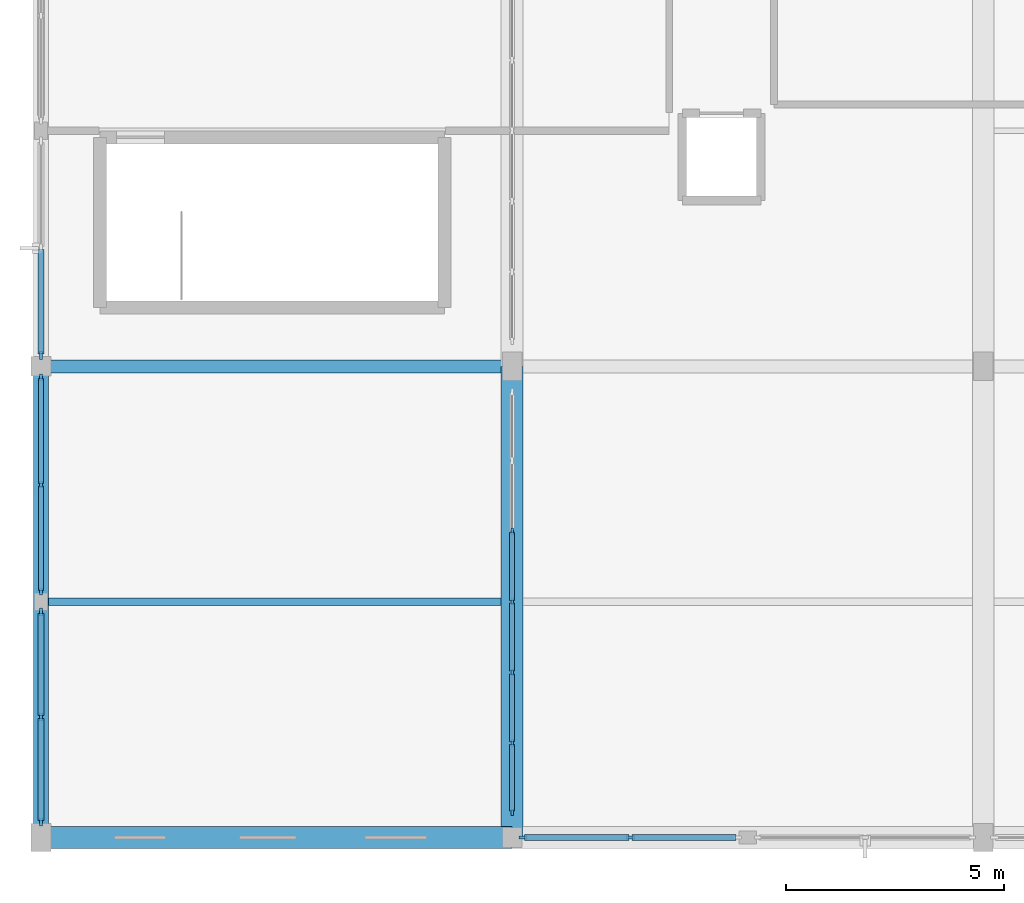
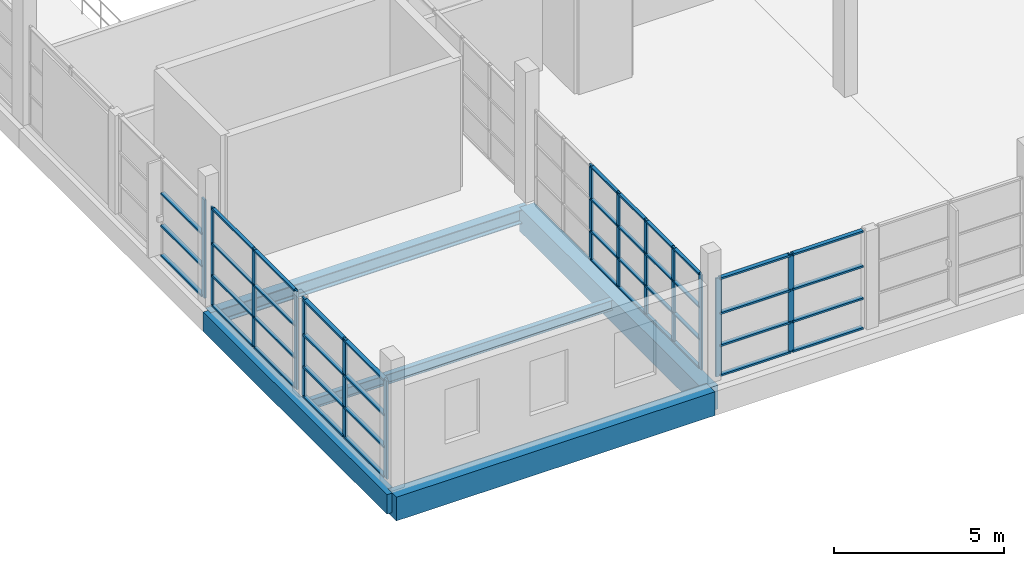
# One storey, part 6 of 142: 57 members, 5 beams, 5 elements without a shape of their own.
"""IFC4 building model written with IfcOpenShell, lengths in metres."""

from ifc_helpers import new_model, si_unit, direction, frame, origin, origin_2d, place, context, subcontext, project, spatial, rectangle, i_section, extrude, material, material_profile, profile_set, type_object, element, aggregate, save


model = new_model("IFC4")

# Units and contexts
model_context = context("Model", 3, precision=1e-05, world=origin(), true_north=direction((0.0, 1.0)))
body_context = subcontext(model_context, "Body", "Model", "MODEL_VIEW")
ifc_project = project(units=[si_unit("LENGTHUNIT", "METRE"), si_unit("AREAUNIT", "SQUARE_METRE"), si_unit("VOLUMEUNIT", "CUBIC_METRE"), si_unit("PLANEANGLEUNIT", "RADIAN"), si_unit("MASSUNIT", "GRAM", prefix="KILO")], contexts=[model_context])

# Site, building, storey
site_placement = place(None, origin())
site = spatial("IfcSite", under=ifc_project, at=site_placement, CompositionType="ELEMENT")
building_placement = place(site_placement, origin())
building = spatial("IfcBuilding", under=site, at=building_placement, Name="Zwinboog Wholesale Market", CompositionType="ELEMENT")
storey_placement = place(building_placement, frame((0.0, 0.0, 5.39990234375)))
storey = spatial("IfcBuildingStorey", under=building, at=storey_placement, Name="L01", CompositionType="ELEMENT", Elevation=5.39990234375)

# Beams
ifc_material_1 = material(Name="Precast concrete C45/55", Category="concrete")
ifc_material_profile_1 = material_profile(ifc_material_1, rectangle(XDim=0.5, YDim=0.85009765625, at=origin_2d()), Name="PC 500x850")
ifc_profile_set_1 = profile_set([ifc_material_profile_1], Name="Precast concrete C45/55")
beam_type_1 = type_object("IfcBeamType", Name="BT-03", PredefinedType="BEAM", material=ifc_profile_set_1)
for number, where, z_axis, x_axis, name in (
    (1, (0.0, 0.0, -0.7568359375), (1.0, 0.0, 0.0), (0.0, 1.0, 0.0), "BG-03 (BMG-L01-0000-0000-0413)"),
    (2, (10.800048828125, 0.0, -0.7568359375), (0.0, 1.0, 0.0), (-1.0, 0.0, 0.0), "BG-03 (BMG-L01-0108-0000-0613)"),
):
    element("IfcBeam", number, at=place(storey_placement, frame(where, z_axis=z_axis, x_axis=x_axis)), inside=storey, type_object=beam_type_1, Name=name, PredefinedType="BEAM", context=body_context, shape_type="SweptSolid", body=[
        extrude(rectangle(XDim=0.5, YDim=0.85009765625, at=origin_2d()), origin(), (0.0, 0.0, 1.0), 10.800048828125),
    ])
ifc_material_profile_2 = material_profile(ifc_material_1, rectangle(XDim=0.35009765625, YDim=0.699951171875, at=origin_2d()), Name="PC 350x700")
ifc_profile_set_2 = profile_set([ifc_material_profile_2], Name="Precast concrete C45/55")
beam_type_2 = type_object("IfcBeamType", Name="BT-08", PredefinedType="SPANDREL", material=ifc_profile_set_2)
beam_1_placement = place(storey_placement, frame((0.0, 0.0, -0.681884765625), z_axis=(0.0, 1.0, 0.0), x_axis=(-1.0, 0.0, 0.0)))
element("IfcBeam", 3, at=beam_1_placement, inside=storey, type_object=beam_type_2, Name="SP-01 (BMG-L01-0000-0000-0601)", PredefinedType="SPANDREL", context=body_context, shape_type="SweptSolid", body=[
    extrude(rectangle(XDim=0.35009765625, YDim=0.699951171875, at=origin_2d()), origin(), (0.0, 0.0, 1.0), 10.800048828125),
])
ifc_material_2 = material(Name="Steel S355", Category="steel")
ifc_material_profile_3 = material_profile(ifc_material_2, i_section(OverallWidth=0.300048828125, OverallDepth=0.5, WebThickness=0.014404296875, FlangeThickness=0.028076171875, FilletRadius=0.027099609375, at=origin_2d()), Name="HEB 500")
ifc_profile_set_3 = profile_set([ifc_material_profile_3], Name="Steel S355")
beam_type_3 = type_object("IfcBeamType", Name="BT-14", PredefinedType="BEAM", material=ifc_profile_set_3)
beam_2_placement = place(storey_placement, frame((0.0, 10.800048828125, -0.581787109375), z_axis=(1.0, 0.0, 0.0), x_axis=(0.0, 1.0, 0.0)))
element("IfcBeam", 4, at=beam_2_placement, inside=storey, type_object=beam_type_3, Name="SB-01 (BMG-L01-0000-0108-0425)", PredefinedType="BEAM", context=body_context, shape_type="SweptSolid", body=[
    extrude(i_section(OverallWidth=0.300048828125, OverallDepth=0.5, WebThickness=0.014404296875, FlangeThickness=0.028076171875, FilletRadius=0.027099609375, at=origin_2d()), origin(), (0.0, 0.0, 1.0), 10.800048828125),
])
ifc_material_profile_4 = material_profile(ifc_material_2, i_section(OverallWidth=0.169921875, OverallDepth=0.360107421875, WebThickness=0.008056640625, FlangeThickness=0.0126953125, FilletRadius=0.01806640625, at=origin_2d()), Name="IPE 360")
ifc_profile_set_4 = profile_set([ifc_material_profile_4], Name="Steel S355")
beam_type_4 = type_object("IfcBeamType", Name="BT-20", PredefinedType="JOIST", material=ifc_profile_set_4)
beam_3_placement = place(storey_placement, frame((0.175048828125, 5.39990234375, -0.511962890625), z_axis=(1.0, 0.0, 0.0), x_axis=(0.0, 1.0, 0.0)))
element("IfcBeam", 5, at=beam_3_placement, inside=storey, type_object=beam_type_4, Name="SJ-03 (BMG-L01-0002-0054-0777)", PredefinedType="JOIST", context=body_context, shape_type="SweptSolid", body=[
    extrude(i_section(OverallWidth=0.169921875, OverallDepth=0.360107421875, WebThickness=0.008056640625, FlangeThickness=0.0126953125, FilletRadius=0.01806640625, at=origin_2d()), origin(), (0.0, 0.0, 1.0), 10.375),
])

# Curtain wall, members
ifc_material_3 = material(Name="Aluminium thermally broken curtain wall", Category="aluminium")
curtain_wall_type_1 = type_object("IfcCurtainWallType", Name="CWT-STALL-18", PredefinedType="USERDEFINED", material=ifc_material_3)
curtain_wall_1_placement = place(storey_placement, origin())
curtain_wall_1 = element("IfcCurtainWall", 6, at=curtain_wall_1_placement, inside=storey, type_object=curtain_wall_type_1, Name="CW-01 (CW-L01-049)", ObjectType="STOREFRONT_GLAZING", PredefinedType="USERDEFINED")
ifc_material_4 = material(Name="Aluminium EN AW-6060", Category="aluminium")
ifc_material_profile_5 = material_profile(ifc_material_4, rectangle(XDim=0.06494140625, YDim=0.179931640625, at=origin_2d()), Name="AL 65x180")
ifc_profile_set_5 = profile_set([ifc_material_profile_5], Name="Aluminium EN AW-6060")
member_type_1 = type_object("IfcMemberType", Name="CWM-65x180", PredefinedType="MULLION", material=ifc_profile_set_5)
member_1_placement = place(storey_placement, frame((0.0, 0.3525390625, 0.0), z_axis=(0.0, 0.0, 1.0), x_axis=(-1.0, 0.0, 0.0)))
member_1 = element("IfcMember", 7, at=member_1_placement, type_object=member_type_1, Name="CW-01 mullion 1", PredefinedType="MULLION", context=body_context, shape_type="SweptSolid", body=[
    extrude(rectangle(XDim=0.06494140625, YDim=0.179931640625, at=origin_2d()), origin(), (0.0, 0.0, 1.0), 3.530029296875),
])
member_2_placement = place(storey_placement, frame((0.0, 2.760009765625, 0.0), z_axis=(0.0, 0.0, 1.0), x_axis=(-1.0, 0.0, 0.0)))
member_2 = element("IfcMember", 8, at=member_2_placement, type_object=member_type_1, Name="CW-01 mullion 2", PredefinedType="MULLION", context=body_context, shape_type="SweptSolid", body=[
    extrude(rectangle(XDim=0.06494140625, YDim=0.179931640625, at=origin_2d()), origin(), (0.0, 0.0, 1.0), 3.530029296875),
])
member_3_placement = place(storey_placement, frame((0.0, 5.16748046875, 0.0), z_axis=(0.0, 0.0, 1.0), x_axis=(-1.0, 0.0, 0.0)))
member_3 = element("IfcMember", 9, at=member_3_placement, type_object=member_type_1, Name="CW-01 mullion 3", PredefinedType="MULLION", context=body_context, shape_type="SweptSolid", body=[
    extrude(rectangle(XDim=0.06494140625, YDim=0.179931640625, at=origin_2d()), origin(), (0.0, 0.0, 1.0), 3.530029296875),
])

# Curtain wall, member
curtain_wall_type_2 = type_object("IfcCurtainWallType", Name="CWT-HALL-24", PredefinedType="USERDEFINED", material=ifc_material_3)
curtain_wall_2_placement = place(storey_placement, origin())
curtain_wall_2 = element("IfcCurtainWall", 10, at=curtain_wall_2_placement, inside=storey, type_object=curtain_wall_type_2, Name="CW-03 (CW-L01-051)", ObjectType="UNITIZED_CURTAIN_WALL", PredefinedType="USERDEFINED")
member_4_placement = place(storey_placement, frame((0.0, 11.052490234375, 0.0), z_axis=(0.0, 0.0, 1.0), x_axis=(-1.0, 0.0, 0.0)))
member_4 = element("IfcMember", 11, at=member_4_placement, type_object=member_type_1, Name="CW-03 mullion 1", PredefinedType="MULLION", context=body_context, shape_type="SweptSolid", body=[
    extrude(rectangle(XDim=0.06494140625, YDim=0.179931640625, at=origin_2d()), origin(), (0.0, 0.0, 1.0), 3.530029296875),
])

# Curtain wall, members
curtain_wall_type_3 = type_object("IfcCurtainWallType", Name="CWT-CAFE-22", PredefinedType="USERDEFINED", material=ifc_material_3)
curtain_wall_3_placement = place(storey_placement, origin())
curtain_wall_3 = element("IfcCurtainWall", 12, at=curtain_wall_3_placement, inside=storey, type_object=curtain_wall_type_3, Name="CW-05 (CW-L01-065)", ObjectType="STOREFRONT_GLAZING", PredefinedType="USERDEFINED")
member_5_placement = place(storey_placement, frame((11.052490234375, 0.0, 0.0), z_axis=(0.0, 0.0, 1.0), x_axis=(0.0, 1.0, 0.0)))
member_5 = element("IfcMember", 13, at=member_5_placement, type_object=member_type_1, Name="CW-05 mullion 1", PredefinedType="MULLION", context=body_context, shape_type="SweptSolid", body=[
    extrude(rectangle(XDim=0.06494140625, YDim=0.179931640625, at=origin_2d()), origin(), (0.0, 0.0, 1.0), 3.530029296875),
])
member_6_placement = place(storey_placement, frame((13.510009765625, 0.0, 0.0), z_axis=(0.0, 0.0, 1.0), x_axis=(0.0, 1.0, 0.0)))
member_6 = element("IfcMember", 14, at=member_6_placement, type_object=member_type_1, Name="CW-05 mullion 2", PredefinedType="MULLION", context=body_context, shape_type="SweptSolid", body=[
    extrude(rectangle(XDim=0.06494140625, YDim=0.179931640625, at=origin_2d()), origin(), (0.0, 0.0, 1.0), 3.530029296875),
])

curtain_wall_type_4 = type_object("IfcCurtainWallType", Name="CWT-STALL-20", PredefinedType="USERDEFINED", material=ifc_material_3)
curtain_wall_4_placement = place(storey_placement, origin())
curtain_wall_4 = element("IfcCurtainWall", 15, at=curtain_wall_4_placement, inside=storey, type_object=curtain_wall_type_4, Name="CW-02 (CW-L01-050)", ObjectType="STOREFRONT_GLAZING", PredefinedType="USERDEFINED")
ifc_material_profile_6 = material_profile(ifc_material_4, rectangle(XDim=0.06005859375, YDim=0.14990234375, at=origin_2d()), Name="AL 60x150")
ifc_profile_set_6 = profile_set([ifc_material_profile_6], Name="Aluminium EN AW-6060")
member_type_2 = type_object("IfcMemberType", Name="CWM-60x150", PredefinedType="MULLION", material=ifc_profile_set_6)
member_7_placement = place(storey_placement, frame((0.0, 5.6298828125, 0.0), z_axis=(0.0, 0.0, 1.0), x_axis=(-1.0, 0.0, 0.0)))
member_7 = element("IfcMember", 16, at=member_7_placement, type_object=member_type_2, Name="CW-02 mullion 1", PredefinedType="MULLION", context=body_context, shape_type="SweptSolid", body=[
    extrude(rectangle(XDim=0.06005859375, YDim=0.14990234375, at=origin_2d()), origin(), (0.0, 0.0, 1.0), 3.530029296875),
])
member_8_placement = place(storey_placement, frame((0.0, 8.090087890625, 0.0), z_axis=(0.0, 0.0, 1.0), x_axis=(-1.0, 0.0, 0.0)))
member_8 = element("IfcMember", 17, at=member_8_placement, type_object=member_type_2, Name="CW-02 mullion 2", PredefinedType="MULLION", context=body_context, shape_type="SweptSolid", body=[
    extrude(rectangle(XDim=0.06005859375, YDim=0.14990234375, at=origin_2d()), origin(), (0.0, 0.0, 1.0), 3.530029296875),
])
member_9_placement = place(storey_placement, frame((0.0, 10.550048828125, 0.0), z_axis=(0.0, 0.0, 1.0), x_axis=(-1.0, 0.0, 0.0)))
member_9 = element("IfcMember", 18, at=member_9_placement, type_object=member_type_2, Name="CW-02 mullion 3", PredefinedType="MULLION", context=body_context, shape_type="SweptSolid", body=[
    extrude(rectangle(XDim=0.06005859375, YDim=0.14990234375, at=origin_2d()), origin(), (0.0, 0.0, 1.0), 3.530029296875),
])

# Member
ifc_material_profile_7 = material_profile(ifc_material_4, rectangle(XDim=0.139892578125, YDim=0.06494140625, at=origin_2d()), Name="AL 65x140")
ifc_profile_set_7 = profile_set([ifc_material_profile_7], Name="Aluminium EN AW-6060")
member_type_3 = type_object("IfcMemberType", Name="CWT-65x140", PredefinedType="USERDEFINED", material=ifc_profile_set_7)
member_10_placement = place(storey_placement, frame((0.0, 0.385009765625, 0.03271484375), z_axis=(0.0, 1.0, 0.0), x_axis=(-1.0, 0.0, 0.0)))
member_10 = element("IfcMember", 19, at=member_10_placement, type_object=member_type_3, Name="CW-01 transom 1.1", ObjectType="TRANSOM", PredefinedType="USERDEFINED", context=body_context, shape_type="SweptSolid", body=[
    extrude(rectangle(XDim=0.139892578125, YDim=0.06494140625, at=origin_2d()), origin(), (0.0, 0.0, 1.0), 2.342529296875),
])

member_11_placement = place(storey_placement, frame((0.0, 0.385009765625, 1.10009765625), z_axis=(0.0, 1.0, 0.0), x_axis=(-1.0, 0.0, 0.0)))
member_11 = element("IfcMember", 20, at=member_11_placement, type_object=member_type_3, Name="CW-01 transom 1.2", ObjectType="TRANSOM", PredefinedType="USERDEFINED", context=body_context, shape_type="SweptSolid", body=[
    extrude(rectangle(XDim=0.139892578125, YDim=0.06494140625, at=origin_2d()), origin(), (0.0, 0.0, 1.0), 2.342529296875),
])

member_12_placement = place(storey_placement, frame((0.0, 0.385009765625, 2.25), z_axis=(0.0, 1.0, 0.0), x_axis=(-1.0, 0.0, 0.0)))
member_12 = element("IfcMember", 21, at=member_12_placement, type_object=member_type_3, Name="CW-01 transom 1.3", ObjectType="TRANSOM", PredefinedType="USERDEFINED", context=body_context, shape_type="SweptSolid", body=[
    extrude(rectangle(XDim=0.139892578125, YDim=0.06494140625, at=origin_2d()), origin(), (0.0, 0.0, 1.0), 2.342529296875),
])

member_13_placement = place(storey_placement, frame((0.0, 0.385009765625, 3.49755859375), z_axis=(0.0, 1.0, 0.0), x_axis=(-1.0, 0.0, 0.0)))
member_13 = element("IfcMember", 22, at=member_13_placement, type_object=member_type_3, Name="CW-01 transom 1.4", ObjectType="TRANSOM", PredefinedType="USERDEFINED", context=body_context, shape_type="SweptSolid", body=[
    extrude(rectangle(XDim=0.139892578125, YDim=0.06494140625, at=origin_2d()), origin(), (0.0, 0.0, 1.0), 2.342529296875),
])

member_14_placement = place(storey_placement, frame((0.0, 2.79248046875, 0.03271484375), z_axis=(0.0, 1.0, 0.0), x_axis=(-1.0, 0.0, 0.0)))
member_14 = element("IfcMember", 23, at=member_14_placement, type_object=member_type_3, Name="CW-01 transom 2.1", ObjectType="TRANSOM", PredefinedType="USERDEFINED", context=body_context, shape_type="SweptSolid", body=[
    extrude(rectangle(XDim=0.139892578125, YDim=0.06494140625, at=origin_2d()), origin(), (0.0, 0.0, 1.0), 2.342529296875),
])

member_15_placement = place(storey_placement, frame((0.0, 2.79248046875, 1.10009765625), z_axis=(0.0, 1.0, 0.0), x_axis=(-1.0, 0.0, 0.0)))
member_15 = element("IfcMember", 24, at=member_15_placement, type_object=member_type_3, Name="CW-01 transom 2.2", ObjectType="TRANSOM", PredefinedType="USERDEFINED", context=body_context, shape_type="SweptSolid", body=[
    extrude(rectangle(XDim=0.139892578125, YDim=0.06494140625, at=origin_2d()), origin(), (0.0, 0.0, 1.0), 2.342529296875),
])

member_16_placement = place(storey_placement, frame((0.0, 2.79248046875, 2.25), z_axis=(0.0, 1.0, 0.0), x_axis=(-1.0, 0.0, 0.0)))
member_16 = element("IfcMember", 25, at=member_16_placement, type_object=member_type_3, Name="CW-01 transom 2.3", ObjectType="TRANSOM", PredefinedType="USERDEFINED", context=body_context, shape_type="SweptSolid", body=[
    extrude(rectangle(XDim=0.139892578125, YDim=0.06494140625, at=origin_2d()), origin(), (0.0, 0.0, 1.0), 2.342529296875),
])

member_17_placement = place(storey_placement, frame((0.0, 2.79248046875, 3.49755859375), z_axis=(0.0, 1.0, 0.0), x_axis=(-1.0, 0.0, 0.0)))
member_17 = element("IfcMember", 26, at=member_17_placement, type_object=member_type_3, Name="CW-01 transom 2.4", ObjectType="TRANSOM", PredefinedType="USERDEFINED", context=body_context, shape_type="SweptSolid", body=[
    extrude(rectangle(XDim=0.139892578125, YDim=0.06494140625, at=origin_2d()), origin(), (0.0, 0.0, 1.0), 2.342529296875),
])

aggregate(curtain_wall_1, [member_1, member_2, member_3, member_10, member_11, member_12, member_13, member_14, member_15, member_16, member_17])

member_18_placement = place(storey_placement, frame((0.0, 11.0849609375, 0.03271484375), z_axis=(0.0, 1.0, 0.0), x_axis=(-1.0, 0.0, 0.0)))
member_18 = element("IfcMember", 27, at=member_18_placement, type_object=member_type_3, Name="CW-03 transom 1.1", ObjectType="TRANSOM", PredefinedType="USERDEFINED", context=body_context, shape_type="SweptSolid", body=[
    extrude(rectangle(XDim=0.139892578125, YDim=0.06494140625, at=origin_2d()), origin(), (0.0, 0.0, 1.0), 2.392578125),
])

member_19_placement = place(storey_placement, frame((0.0, 11.0849609375, 1.10009765625), z_axis=(0.0, 1.0, 0.0), x_axis=(-1.0, 0.0, 0.0)))
member_19 = element("IfcMember", 28, at=member_19_placement, type_object=member_type_3, Name="CW-03 transom 1.2", ObjectType="TRANSOM", PredefinedType="USERDEFINED", context=body_context, shape_type="SweptSolid", body=[
    extrude(rectangle(XDim=0.139892578125, YDim=0.06494140625, at=origin_2d()), origin(), (0.0, 0.0, 1.0), 2.392578125),
])

member_20_placement = place(storey_placement, frame((0.0, 11.0849609375, 2.25), z_axis=(0.0, 1.0, 0.0), x_axis=(-1.0, 0.0, 0.0)))
member_20 = element("IfcMember", 29, at=member_20_placement, type_object=member_type_3, Name="CW-03 transom 1.3", ObjectType="TRANSOM", PredefinedType="USERDEFINED", context=body_context, shape_type="SweptSolid", body=[
    extrude(rectangle(XDim=0.139892578125, YDim=0.06494140625, at=origin_2d()), origin(), (0.0, 0.0, 1.0), 2.392578125),
])

aggregate(curtain_wall_2, [member_4, member_18, member_19, member_20])

member_21_placement = place(storey_placement, frame((11.0849609375, 0.0, 0.03271484375), z_axis=(1.0, 0.0, 0.0), x_axis=(0.0, 1.0, 0.0)))
member_21 = element("IfcMember", 30, at=member_21_placement, type_object=member_type_3, Name="CW-05 transom 1.1", ObjectType="TRANSOM", PredefinedType="USERDEFINED", context=body_context, shape_type="SweptSolid", body=[
    extrude(rectangle(XDim=0.139892578125, YDim=0.06494140625, at=origin_2d()), origin(), (0.0, 0.0, 1.0), 2.392578125),
])

member_22_placement = place(storey_placement, frame((11.0849609375, 0.0, 1.10009765625), z_axis=(1.0, 0.0, 0.0), x_axis=(0.0, 1.0, 0.0)))
member_22 = element("IfcMember", 31, at=member_22_placement, type_object=member_type_3, Name="CW-05 transom 1.2", ObjectType="TRANSOM", PredefinedType="USERDEFINED", context=body_context, shape_type="SweptSolid", body=[
    extrude(rectangle(XDim=0.139892578125, YDim=0.06494140625, at=origin_2d()), origin(), (0.0, 0.0, 1.0), 2.392578125),
])

member_23_placement = place(storey_placement, frame((11.0849609375, 0.0, 2.25), z_axis=(1.0, 0.0, 0.0), x_axis=(0.0, 1.0, 0.0)))
member_23 = element("IfcMember", 32, at=member_23_placement, type_object=member_type_3, Name="CW-05 transom 1.3", ObjectType="TRANSOM", PredefinedType="USERDEFINED", context=body_context, shape_type="SweptSolid", body=[
    extrude(rectangle(XDim=0.139892578125, YDim=0.06494140625, at=origin_2d()), origin(), (0.0, 0.0, 1.0), 2.392578125),
])

member_24_placement = place(storey_placement, frame((11.0849609375, 0.0, 3.49755859375), z_axis=(1.0, 0.0, 0.0), x_axis=(0.0, 1.0, 0.0)))
member_24 = element("IfcMember", 33, at=member_24_placement, type_object=member_type_3, Name="CW-05 transom 1.4", ObjectType="TRANSOM", PredefinedType="USERDEFINED", context=body_context, shape_type="SweptSolid", body=[
    extrude(rectangle(XDim=0.139892578125, YDim=0.06494140625, at=origin_2d()), origin(), (0.0, 0.0, 1.0), 2.392578125),
])

member_25_placement = place(storey_placement, frame((13.54248046875, 0.0, 0.03271484375), z_axis=(1.0, 0.0, 0.0), x_axis=(0.0, 1.0, 0.0)))
member_25 = element("IfcMember", 34, at=member_25_placement, type_object=member_type_3, Name="CW-05 transom 2.1", ObjectType="TRANSOM", PredefinedType="USERDEFINED", context=body_context, shape_type="SweptSolid", body=[
    extrude(rectangle(XDim=0.139892578125, YDim=0.06494140625, at=origin_2d()), origin(), (0.0, 0.0, 1.0), 2.392578125),
])

member_26_placement = place(storey_placement, frame((13.54248046875, 0.0, 1.10009765625), z_axis=(1.0, 0.0, 0.0), x_axis=(0.0, 1.0, 0.0)))
member_26 = element("IfcMember", 35, at=member_26_placement, type_object=member_type_3, Name="CW-05 transom 2.2", ObjectType="TRANSOM", PredefinedType="USERDEFINED", context=body_context, shape_type="SweptSolid", body=[
    extrude(rectangle(XDim=0.139892578125, YDim=0.06494140625, at=origin_2d()), origin(), (0.0, 0.0, 1.0), 2.392578125),
])

member_27_placement = place(storey_placement, frame((13.54248046875, 0.0, 2.25), z_axis=(1.0, 0.0, 0.0), x_axis=(0.0, 1.0, 0.0)))
member_27 = element("IfcMember", 36, at=member_27_placement, type_object=member_type_3, Name="CW-05 transom 2.3", ObjectType="TRANSOM", PredefinedType="USERDEFINED", context=body_context, shape_type="SweptSolid", body=[
    extrude(rectangle(XDim=0.139892578125, YDim=0.06494140625, at=origin_2d()), origin(), (0.0, 0.0, 1.0), 2.392578125),
])

member_28_placement = place(storey_placement, frame((13.54248046875, 0.0, 3.49755859375), z_axis=(1.0, 0.0, 0.0), x_axis=(0.0, 1.0, 0.0)))
member_28 = element("IfcMember", 37, at=member_28_placement, type_object=member_type_3, Name="CW-05 transom 2.4", ObjectType="TRANSOM", PredefinedType="USERDEFINED", context=body_context, shape_type="SweptSolid", body=[
    extrude(rectangle(XDim=0.139892578125, YDim=0.06494140625, at=origin_2d()), origin(), (0.0, 0.0, 1.0), 2.392578125),
])

aggregate(curtain_wall_3, [member_5, member_6, member_21, member_22, member_23, member_24, member_25, member_26, member_27, member_28])

ifc_material_profile_8 = material_profile(ifc_material_4, rectangle(XDim=0.110107421875, YDim=0.06005859375, at=origin_2d()), Name="AL 60x110")
ifc_profile_set_8 = profile_set([ifc_material_profile_8], Name="Aluminium EN AW-6060")
member_type_4 = type_object("IfcMemberType", Name="CWT-60x110", PredefinedType="USERDEFINED", material=ifc_profile_set_8)
member_29_placement = place(storey_placement, frame((0.0, 5.659912109375, 0.030029296875), z_axis=(0.0, 1.0, 0.0), x_axis=(-1.0, 0.0, 0.0)))
member_29 = element("IfcMember", 38, at=member_29_placement, type_object=member_type_4, Name="CW-02 transom 1.1", ObjectType="TRANSOM", PredefinedType="USERDEFINED", context=body_context, shape_type="SweptSolid", body=[
    extrude(rectangle(XDim=0.110107421875, YDim=0.06005859375, at=origin_2d()), origin(), (0.0, 0.0, 1.0), 2.400146484375),
])

member_30_placement = place(storey_placement, frame((0.0, 5.659912109375, 1.10009765625), z_axis=(0.0, 1.0, 0.0), x_axis=(-1.0, 0.0, 0.0)))
member_30 = element("IfcMember", 39, at=member_30_placement, type_object=member_type_4, Name="CW-02 transom 1.2", ObjectType="TRANSOM", PredefinedType="USERDEFINED", context=body_context, shape_type="SweptSolid", body=[
    extrude(rectangle(XDim=0.110107421875, YDim=0.06005859375, at=origin_2d()), origin(), (0.0, 0.0, 1.0), 2.400146484375),
])

member_31_placement = place(storey_placement, frame((0.0, 5.659912109375, 2.25), z_axis=(0.0, 1.0, 0.0), x_axis=(-1.0, 0.0, 0.0)))
member_31 = element("IfcMember", 40, at=member_31_placement, type_object=member_type_4, Name="CW-02 transom 1.3", ObjectType="TRANSOM", PredefinedType="USERDEFINED", context=body_context, shape_type="SweptSolid", body=[
    extrude(rectangle(XDim=0.110107421875, YDim=0.06005859375, at=origin_2d()), origin(), (0.0, 0.0, 1.0), 2.400146484375),
])

member_32_placement = place(storey_placement, frame((0.0, 5.659912109375, 3.5), z_axis=(0.0, 1.0, 0.0), x_axis=(-1.0, 0.0, 0.0)))
member_32 = element("IfcMember", 41, at=member_32_placement, type_object=member_type_4, Name="CW-02 transom 1.4", ObjectType="TRANSOM", PredefinedType="USERDEFINED", context=body_context, shape_type="SweptSolid", body=[
    extrude(rectangle(XDim=0.110107421875, YDim=0.06005859375, at=origin_2d()), origin(), (0.0, 0.0, 1.0), 2.400146484375),
])

member_33_placement = place(storey_placement, frame((0.0, 8.1201171875, 0.030029296875), z_axis=(0.0, 1.0, 0.0), x_axis=(-1.0, 0.0, 0.0)))
member_33 = element("IfcMember", 42, at=member_33_placement, type_object=member_type_4, Name="CW-02 transom 2.1", ObjectType="TRANSOM", PredefinedType="USERDEFINED", context=body_context, shape_type="SweptSolid", body=[
    extrude(rectangle(XDim=0.110107421875, YDim=0.06005859375, at=origin_2d()), origin(), (0.0, 0.0, 1.0), 2.39990234375),
])

member_34_placement = place(storey_placement, frame((0.0, 8.1201171875, 1.10009765625), z_axis=(0.0, 1.0, 0.0), x_axis=(-1.0, 0.0, 0.0)))
member_34 = element("IfcMember", 43, at=member_34_placement, type_object=member_type_4, Name="CW-02 transom 2.2", ObjectType="TRANSOM", PredefinedType="USERDEFINED", context=body_context, shape_type="SweptSolid", body=[
    extrude(rectangle(XDim=0.110107421875, YDim=0.06005859375, at=origin_2d()), origin(), (0.0, 0.0, 1.0), 2.39990234375),
])

member_35_placement = place(storey_placement, frame((0.0, 8.1201171875, 2.25), z_axis=(0.0, 1.0, 0.0), x_axis=(-1.0, 0.0, 0.0)))
member_35 = element("IfcMember", 44, at=member_35_placement, type_object=member_type_4, Name="CW-02 transom 2.3", ObjectType="TRANSOM", PredefinedType="USERDEFINED", context=body_context, shape_type="SweptSolid", body=[
    extrude(rectangle(XDim=0.110107421875, YDim=0.06005859375, at=origin_2d()), origin(), (0.0, 0.0, 1.0), 2.39990234375),
])

member_36_placement = place(storey_placement, frame((0.0, 8.1201171875, 3.5), z_axis=(0.0, 1.0, 0.0), x_axis=(-1.0, 0.0, 0.0)))
member_36 = element("IfcMember", 45, at=member_36_placement, type_object=member_type_4, Name="CW-02 transom 2.4", ObjectType="TRANSOM", PredefinedType="USERDEFINED", context=body_context, shape_type="SweptSolid", body=[
    extrude(rectangle(XDim=0.110107421875, YDim=0.06005859375, at=origin_2d()), origin(), (0.0, 0.0, 1.0), 2.39990234375),
])

aggregate(curtain_wall_4, [member_7, member_8, member_9, member_29, member_30, member_31, member_32, member_33, member_34, member_35, member_36])

# Curtain wall, members
curtain_wall_type_5 = type_object("IfcCurtainWallType", Name="CWT-INT-STALL", PredefinedType="USERDEFINED", material=ifc_material_3)
curtain_wall_5_placement = place(storey_placement, origin())
curtain_wall_5 = element("IfcCurtainWall", 46, at=curtain_wall_5_placement, inside=storey, type_object=curtain_wall_type_5, Name="CW-07 (CW-STL-255)", ObjectType="STOREFRONT_GLAZING", PredefinedType="USERDEFINED")
ifc_material_profile_9 = material_profile(ifc_material_4, rectangle(XDim=0.06005859375, YDim=0.14990234375, at=origin_2d()), Name="AL 60x150")
ifc_profile_set_9 = profile_set([ifc_material_profile_9], Name="Aluminium EN AW-6060")
member_type_5 = type_object("IfcMemberType", Name="CWM-INT-60x120", PredefinedType="MULLION", material=ifc_profile_set_9)
member_37_placement = place(storey_placement, frame((10.800048828125, 0.580078125, 0.0), z_axis=(0.0, 0.0, 1.0), x_axis=(-1.0, 0.0, 0.0)))
member_37 = element("IfcMember", 47, at=member_37_placement, type_object=member_type_5, Name="CW-07 mullion 1", PredefinedType="MULLION", context=body_context, shape_type="SweptSolid", body=[
    extrude(rectangle(XDim=0.06005859375, YDim=0.14990234375, at=origin_2d()), origin(), (0.0, 0.0, 1.0), 3.400146484375),
])
member_38_placement = place(storey_placement, frame((10.800048828125, 2.166748046875, 0.0), z_axis=(0.0, 0.0, 1.0), x_axis=(-1.0, 0.0, 0.0)))
member_38 = element("IfcMember", 48, at=member_38_placement, type_object=member_type_5, Name="CW-07 mullion 2", PredefinedType="MULLION", context=body_context, shape_type="SweptSolid", body=[
    extrude(rectangle(XDim=0.06005859375, YDim=0.14990234375, at=origin_2d()), origin(), (0.0, 0.0, 1.0), 3.400146484375),
])
member_39_placement = place(storey_placement, frame((10.800048828125, 3.783447265625, 0.0), z_axis=(0.0, 0.0, 1.0), x_axis=(-1.0, 0.0, 0.0)))
member_39 = element("IfcMember", 49, at=member_39_placement, type_object=member_type_5, Name="CW-07 mullion 3", PredefinedType="MULLION", context=body_context, shape_type="SweptSolid", body=[
    extrude(rectangle(XDim=0.06005859375, YDim=0.14990234375, at=origin_2d()), origin(), (0.0, 0.0, 1.0), 3.400146484375),
])
member_40_placement = place(storey_placement, frame((10.800048828125, 5.39990234375, 0.0), z_axis=(0.0, 0.0, 1.0), x_axis=(-1.0, 0.0, 0.0)))
member_40 = element("IfcMember", 50, at=member_40_placement, type_object=member_type_5, Name="CW-07 mullion 4", PredefinedType="MULLION", context=body_context, shape_type="SweptSolid", body=[
    extrude(rectangle(XDim=0.06005859375, YDim=0.14990234375, at=origin_2d()), origin(), (0.0, 0.0, 1.0), 3.400146484375),
])
member_41_placement = place(storey_placement, frame((10.800048828125, 7.0166015625, 0.0), z_axis=(0.0, 0.0, 1.0), x_axis=(-1.0, 0.0, 0.0)))
member_41 = element("IfcMember", 51, at=member_41_placement, type_object=member_type_5, Name="CW-07 mullion 5", PredefinedType="MULLION", context=body_context, shape_type="SweptSolid", body=[
    extrude(rectangle(XDim=0.06005859375, YDim=0.14990234375, at=origin_2d()), origin(), (0.0, 0.0, 1.0), 3.400146484375),
])
ifc_material_profile_10 = material_profile(ifc_material_4, rectangle(XDim=0.110107421875, YDim=0.06005859375, at=origin_2d()), Name="AL 60x110")
ifc_profile_set_10 = profile_set([ifc_material_profile_10], Name="Aluminium EN AW-6060")
member_type_6 = type_object("IfcMemberType", Name="CWT-INT-60x100", PredefinedType="USERDEFINED", material=ifc_profile_set_10)
member_42_placement = place(storey_placement, frame((10.800048828125, 0.610107421875, 0.030029296875), z_axis=(0.0, 1.0, 0.0), x_axis=(-1.0, 0.0, 0.0)))
member_42 = element("IfcMember", 52, at=member_42_placement, type_object=member_type_6, Name="CW-07 transom 1.1", ObjectType="TRANSOM", PredefinedType="USERDEFINED", context=body_context, shape_type="SweptSolid", body=[
    extrude(rectangle(XDim=0.110107421875, YDim=0.06005859375, at=origin_2d()), origin(), (0.0, 0.0, 1.0), 1.526611328125),
])
member_43_placement = place(storey_placement, frame((10.800048828125, 0.610107421875, 1.050048828125), z_axis=(0.0, 1.0, 0.0), x_axis=(-1.0, 0.0, 0.0)))
member_43 = element("IfcMember", 53, at=member_43_placement, type_object=member_type_6, Name="CW-07 transom 1.2", ObjectType="TRANSOM", PredefinedType="USERDEFINED", context=body_context, shape_type="SweptSolid", body=[
    extrude(rectangle(XDim=0.110107421875, YDim=0.06005859375, at=origin_2d()), origin(), (0.0, 0.0, 1.0), 1.526611328125),
])
member_44_placement = place(storey_placement, frame((10.800048828125, 0.610107421875, 2.2001953125), z_axis=(0.0, 1.0, 0.0), x_axis=(-1.0, 0.0, 0.0)))
member_44 = element("IfcMember", 54, at=member_44_placement, type_object=member_type_6, Name="CW-07 transom 1.3", ObjectType="TRANSOM", PredefinedType="USERDEFINED", context=body_context, shape_type="SweptSolid", body=[
    extrude(rectangle(XDim=0.110107421875, YDim=0.06005859375, at=origin_2d()), origin(), (0.0, 0.0, 1.0), 1.526611328125),
])
member_45_placement = place(storey_placement, frame((10.800048828125, 0.610107421875, 3.3701171875), z_axis=(0.0, 1.0, 0.0), x_axis=(-1.0, 0.0, 0.0)))
member_45 = element("IfcMember", 55, at=member_45_placement, type_object=member_type_6, Name="CW-07 transom 1.4", ObjectType="TRANSOM", PredefinedType="USERDEFINED", context=body_context, shape_type="SweptSolid", body=[
    extrude(rectangle(XDim=0.110107421875, YDim=0.06005859375, at=origin_2d()), origin(), (0.0, 0.0, 1.0), 1.526611328125),
])
member_46_placement = place(storey_placement, frame((10.800048828125, 2.19677734375, 0.030029296875), z_axis=(0.0, 1.0, 0.0), x_axis=(-1.0, 0.0, 0.0)))
member_46 = element("IfcMember", 56, at=member_46_placement, type_object=member_type_6, Name="CW-07 transom 2.1", ObjectType="TRANSOM", PredefinedType="USERDEFINED", context=body_context, shape_type="SweptSolid", body=[
    extrude(rectangle(XDim=0.110107421875, YDim=0.06005859375, at=origin_2d()), origin(), (0.0, 0.0, 1.0), 1.556640625),
])
member_47_placement = place(storey_placement, frame((10.800048828125, 2.19677734375, 1.050048828125), z_axis=(0.0, 1.0, 0.0), x_axis=(-1.0, 0.0, 0.0)))
member_47 = element("IfcMember", 57, at=member_47_placement, type_object=member_type_6, Name="CW-07 transom 2.2", ObjectType="TRANSOM", PredefinedType="USERDEFINED", context=body_context, shape_type="SweptSolid", body=[
    extrude(rectangle(XDim=0.110107421875, YDim=0.06005859375, at=origin_2d()), origin(), (0.0, 0.0, 1.0), 1.556640625),
])
member_48_placement = place(storey_placement, frame((10.800048828125, 2.19677734375, 2.2001953125), z_axis=(0.0, 1.0, 0.0), x_axis=(-1.0, 0.0, 0.0)))
member_48 = element("IfcMember", 58, at=member_48_placement, type_object=member_type_6, Name="CW-07 transom 2.3", ObjectType="TRANSOM", PredefinedType="USERDEFINED", context=body_context, shape_type="SweptSolid", body=[
    extrude(rectangle(XDim=0.110107421875, YDim=0.06005859375, at=origin_2d()), origin(), (0.0, 0.0, 1.0), 1.556640625),
])
member_49_placement = place(storey_placement, frame((10.800048828125, 2.19677734375, 3.3701171875), z_axis=(0.0, 1.0, 0.0), x_axis=(-1.0, 0.0, 0.0)))
member_49 = element("IfcMember", 59, at=member_49_placement, type_object=member_type_6, Name="CW-07 transom 2.4", ObjectType="TRANSOM", PredefinedType="USERDEFINED", context=body_context, shape_type="SweptSolid", body=[
    extrude(rectangle(XDim=0.110107421875, YDim=0.06005859375, at=origin_2d()), origin(), (0.0, 0.0, 1.0), 1.556640625),
])
member_50_placement = place(storey_placement, frame((10.800048828125, 3.813232421875, 0.030029296875), z_axis=(0.0, 1.0, 0.0), x_axis=(-1.0, 0.0, 0.0)))
member_50 = element("IfcMember", 60, at=member_50_placement, type_object=member_type_6, Name="CW-07 transom 3.1", ObjectType="TRANSOM", PredefinedType="USERDEFINED", context=body_context, shape_type="SweptSolid", body=[
    extrude(rectangle(XDim=0.110107421875, YDim=0.06005859375, at=origin_2d()), origin(), (0.0, 0.0, 1.0), 1.556884765625),
])
member_51_placement = place(storey_placement, frame((10.800048828125, 3.813232421875, 1.050048828125), z_axis=(0.0, 1.0, 0.0), x_axis=(-1.0, 0.0, 0.0)))
member_51 = element("IfcMember", 61, at=member_51_placement, type_object=member_type_6, Name="CW-07 transom 3.2", ObjectType="TRANSOM", PredefinedType="USERDEFINED", context=body_context, shape_type="SweptSolid", body=[
    extrude(rectangle(XDim=0.110107421875, YDim=0.06005859375, at=origin_2d()), origin(), (0.0, 0.0, 1.0), 1.556884765625),
])
member_52_placement = place(storey_placement, frame((10.800048828125, 3.813232421875, 2.2001953125), z_axis=(0.0, 1.0, 0.0), x_axis=(-1.0, 0.0, 0.0)))
member_52 = element("IfcMember", 62, at=member_52_placement, type_object=member_type_6, Name="CW-07 transom 3.3", ObjectType="TRANSOM", PredefinedType="USERDEFINED", context=body_context, shape_type="SweptSolid", body=[
    extrude(rectangle(XDim=0.110107421875, YDim=0.06005859375, at=origin_2d()), origin(), (0.0, 0.0, 1.0), 1.556884765625),
])
member_53_placement = place(storey_placement, frame((10.800048828125, 3.813232421875, 3.3701171875), z_axis=(0.0, 1.0, 0.0), x_axis=(-1.0, 0.0, 0.0)))
member_53 = element("IfcMember", 63, at=member_53_placement, type_object=member_type_6, Name="CW-07 transom 3.4", ObjectType="TRANSOM", PredefinedType="USERDEFINED", context=body_context, shape_type="SweptSolid", body=[
    extrude(rectangle(XDim=0.110107421875, YDim=0.06005859375, at=origin_2d()), origin(), (0.0, 0.0, 1.0), 1.556884765625),
])
member_54_placement = place(storey_placement, frame((10.800048828125, 5.429931640625, 0.030029296875), z_axis=(0.0, 1.0, 0.0), x_axis=(-1.0, 0.0, 0.0)))
member_54 = element("IfcMember", 64, at=member_54_placement, type_object=member_type_6, Name="CW-07 transom 4.1", ObjectType="TRANSOM", PredefinedType="USERDEFINED", context=body_context, shape_type="SweptSolid", body=[
    extrude(rectangle(XDim=0.110107421875, YDim=0.06005859375, at=origin_2d()), origin(), (0.0, 0.0, 1.0), 1.556640625),
])
member_55_placement = place(storey_placement, frame((10.800048828125, 5.429931640625, 1.050048828125), z_axis=(0.0, 1.0, 0.0), x_axis=(-1.0, 0.0, 0.0)))
member_55 = element("IfcMember", 65, at=member_55_placement, type_object=member_type_6, Name="CW-07 transom 4.2", ObjectType="TRANSOM", PredefinedType="USERDEFINED", context=body_context, shape_type="SweptSolid", body=[
    extrude(rectangle(XDim=0.110107421875, YDim=0.06005859375, at=origin_2d()), origin(), (0.0, 0.0, 1.0), 1.556640625),
])
member_56_placement = place(storey_placement, frame((10.800048828125, 5.429931640625, 2.2001953125), z_axis=(0.0, 1.0, 0.0), x_axis=(-1.0, 0.0, 0.0)))
member_56 = element("IfcMember", 66, at=member_56_placement, type_object=member_type_6, Name="CW-07 transom 4.3", ObjectType="TRANSOM", PredefinedType="USERDEFINED", context=body_context, shape_type="SweptSolid", body=[
    extrude(rectangle(XDim=0.110107421875, YDim=0.06005859375, at=origin_2d()), origin(), (0.0, 0.0, 1.0), 1.556640625),
])
member_57_placement = place(storey_placement, frame((10.800048828125, 5.429931640625, 3.3701171875), z_axis=(0.0, 1.0, 0.0), x_axis=(-1.0, 0.0, 0.0)))
member_57 = element("IfcMember", 67, at=member_57_placement, type_object=member_type_6, Name="CW-07 transom 4.4", ObjectType="TRANSOM", PredefinedType="USERDEFINED", context=body_context, shape_type="SweptSolid", body=[
    extrude(rectangle(XDim=0.110107421875, YDim=0.06005859375, at=origin_2d()), origin(), (0.0, 0.0, 1.0), 1.556640625),
])
aggregate(curtain_wall_5, [member_37, member_38, member_39, member_40, member_41, member_42, member_43, member_44, member_45, member_46, member_47, member_48, member_49, member_50, member_51, member_52, member_53, member_54, member_55, member_56, member_57])

save(model, "model.ifc")
